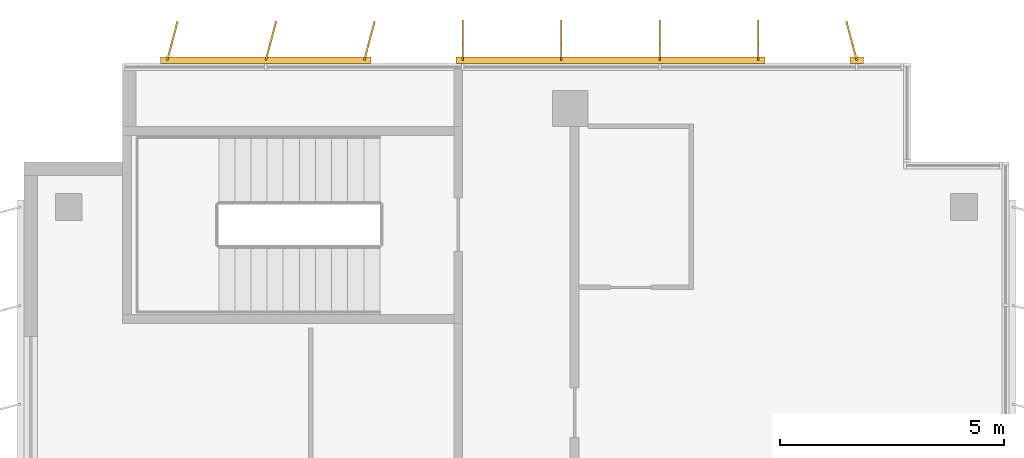
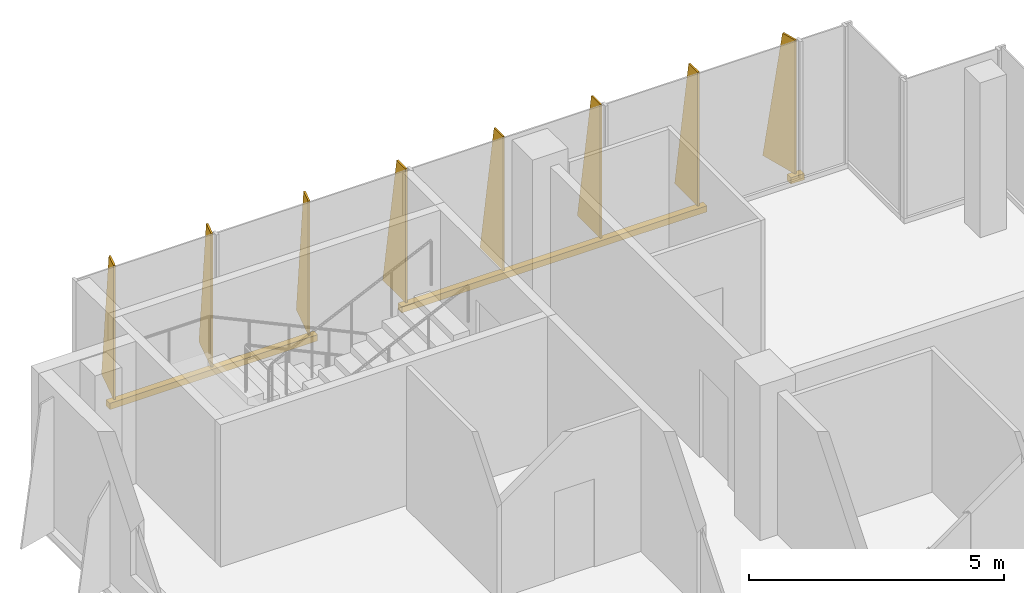
# One storey, part 15 of 15: 3 shading devices.
"""IFC4 building model written with IfcOpenShell, lengths in metres."""

from ifc_helpers import new_model, si_unit, direction, frame, origin, origin_2d, place, context, subcontext, project, spatial, polyline, rectangle, outline, extrude, source, transform, mapped, material, layer, layer_set, type_object, element, save


model = new_model("IFC4")

# Units and contexts
model_context = context("Model", 3, precision=1e-05, world=origin(), true_north=direction((0.0, 1.0)))
body_context = subcontext(model_context, "Body", "Model", "MODEL_VIEW")
ifc_project = project(units=[si_unit("LENGTHUNIT", "METRE"), si_unit("AREAUNIT", "SQUARE_METRE"), si_unit("VOLUMEUNIT", "CUBIC_METRE"), si_unit("PLANEANGLEUNIT", "RADIAN"), si_unit("MASSUNIT", "GRAM", prefix="KILO")], contexts=[model_context])

# Site, building, storey
site_placement = place(None, origin())
site = spatial("IfcSite", under=ifc_project, at=site_placement, CompositionType="ELEMENT")
building_placement = place(site_placement, origin())
building = spatial("IfcBuilding", under=site, at=building_placement, Name="Kemantara Hotel Tower", CompositionType="ELEMENT")
storey_placement = place(building_placement, frame((0.0, 0.0, 301.800048828125)))
storey = spatial("IfcBuildingStorey", under=building, at=storey_placement, Name="L76", CompositionType="ELEMENT", Elevation=301.800048828125)

# Shading devices
ifc_material = material(Name="Perforated aluminium plate 4 mm bronze anodised", Category="aluminium")
ifc_layer_1 = layer(ifc_material, 0.0400390625)
ifc_layer_set_1 = layer_set([ifc_layer_1], Name="Perforated aluminium plate 4 mm bronze anodised")
shading_device_type_1 = type_object("IfcShadingDeviceType", Name="SCREEN FIN CASSETTE, 3 BLADES AT -15.0 DEG, 3200 HIGH", PredefinedType="USERDEFINED", material=ifc_layer_set_1)
shared_shape_1 = source(origin(), body_context, "Body", "SweptSolid", [
    extrude(rectangle(XDim=4.699951171875, YDim=0.14990234375, at=origin_2d()), frame((2.199951171875, -0.074951171875, -0.14990234375), z_axis=(0.0, 0.0, 1.0), x_axis=(1.0, 0.0, 0.0)), (0.0, 0.0, 1.0), 0.14990234375),
    extrude(outline(polyline([(0.0, 0.0), (0.89990234375, 0.0), (0.35009765625, 3.199951171875), (0.0, 3.199951171875), (0.0, 0.0)])), frame((0.019287109375, -0.080078125, 0.0), z_axis=(-0.966437683387, 0.256901156343, 0.0), x_axis=(-0.256901156343, -0.966437683387, 0.0)), (0.0, 0.0, 1.0), 0.039794921875),
    extrude(outline(polyline([(0.0, 0.0), (0.89990234375, 0.0), (0.35009765625, 3.199951171875), (0.0, 3.199951171875), (0.0, 0.0)])), frame((2.21923828125, -0.080078125, 0.0), z_axis=(-0.966437683387, 0.256901156343, 0.0), x_axis=(-0.256901156343, -0.966437683387, 0.0)), (0.0, 0.0, 1.0), 0.039794921875),
    extrude(outline(polyline([(0.0, 0.0), (0.89990234375, 0.0), (0.35009765625, 3.199951171875), (0.0, 3.199951171875), (0.0, 0.0)])), frame((4.41943359375, -0.080078125, 0.0), z_axis=(-0.966837822169, 0.255391122837, 0.0), x_axis=(-0.255391122837, -0.966837822169, 0.0)), (0.0, 0.0, 1.0), 0.0400390625),
])
shading_device_1_placement = place(storey_placement, frame((7.60009765625, 63.60009765625, 0.099853515625), z_axis=(0.0, 0.0, 1.0), x_axis=(-1.0, 0.0, 0.0)))
element("IfcShadingDevice", 1, at=shading_device_1_placement, inside=storey, type_object=shading_device_type_1, Name="SCREEN FIN CASSETTE L76 T4-R02-3", ObjectType="SCREEN FIN", PredefinedType="USERDEFINED", context=body_context, shape_type="MappedRepresentation", body=[
    mapped(shared_shape_1, transform((0.0, 0.0, 0.0))),
])
ifc_layer_2 = layer(ifc_material, 0.0400390625)
ifc_layer_set_2 = layer_set([ifc_layer_2], Name="Perforated aluminium plate 4 mm bronze anodised")
shading_device_type_2 = type_object("IfcShadingDeviceType", Name="SCREEN FIN CASSETTE, 4 BLADES AT +0.0 DEG, 3200 HIGH", PredefinedType="USERDEFINED", material=ifc_layer_set_2)
shared_shape_2 = source(origin(), body_context, "Body", "SweptSolid", [
    extrude(rectangle(XDim=6.89990234375, YDim=0.14990234375, at=origin_2d()), frame((3.300048828125, -0.074951171875, -0.14990234375), z_axis=(0.0, 0.0, 1.0), x_axis=(1.0, 0.0, 0.0)), (0.0, 0.0, 1.0), 0.14990234375),
    extrude(outline(polyline([(0.0, 0.0), (0.89990234375, 0.0), (0.35009765625, 3.199951171875), (0.0, 3.199951171875), (0.0, 0.0)])), frame((0.02001953125, -0.074951171875, 0.0), z_axis=(-1.0, 0.0, 0.0), x_axis=(0.0, -1.0, 0.0)), (0.0, 0.0, 1.0), 0.0400390625),
    extrude(outline(polyline([(0.0, 0.0), (0.89990234375, 0.0), (0.35009765625, 3.199951171875), (0.0, 3.199951171875), (0.0, 0.0)])), frame((2.219970703125, -0.074951171875, 0.0), z_axis=(-1.0, 0.0, 0.0), x_axis=(0.0, -1.0, 0.0)), (0.0, 0.0, 1.0), 0.0400390625),
    extrude(outline(polyline([(0.0, 0.0), (0.89990234375, 0.0), (0.35009765625, 3.199951171875), (0.0, 3.199951171875), (0.0, 0.0)])), frame((4.419921875, -0.074951171875, 0.0), z_axis=(-1.0, 0.0, 0.0), x_axis=(0.0, -1.0, 0.0)), (0.0, 0.0, 1.0), 0.0400390625),
    extrude(outline(polyline([(0.0, 0.0), (0.89990234375, 0.0), (0.35009765625, 3.199951171875), (0.0, 3.199951171875), (0.0, 0.0)])), frame((6.6201171875, -0.074951171875, 0.0), z_axis=(-1.0, 0.0, 0.0), x_axis=(0.0, -1.0, 0.0)), (0.0, 0.0, 1.0), 0.0400390625),
])
shading_device_2_placement = place(storey_placement, frame((16.39990234375, 63.60009765625, 0.099853515625), z_axis=(0.0, 0.0, 1.0), x_axis=(-1.0, 0.0, 0.0)))
element("IfcShadingDevice", 2, at=shading_device_2_placement, inside=storey, type_object=shading_device_type_2, Name="SCREEN FIN CASSETTE L76 T4-R02-2", ObjectType="SCREEN FIN", PredefinedType="USERDEFINED", context=body_context, shape_type="MappedRepresentation", body=[
    mapped(shared_shape_2, transform((0.0, 0.0, 0.0))),
])
ifc_layer_3 = layer(ifc_material, 0.0400390625)
ifc_layer_set_3 = layer_set([ifc_layer_3], Name="Perforated aluminium plate 4 mm bronze anodised")
shading_device_type_3 = type_object("IfcShadingDeviceType", Name="SCREEN FIN CASSETTE, 1 BLADE AT +15.0 DEG, 3200 HIGH", PredefinedType="USERDEFINED", material=ifc_layer_set_3)
shared_shape_3 = source(origin(), body_context, "Body", "SweptSolid", [
    extrude(rectangle(XDim=0.300048828125, YDim=0.14990234375, at=origin_2d()), frame((0.0, -0.074951171875, -0.14990234375), z_axis=(0.0, 0.0, 1.0), x_axis=(1.0, 0.0, 0.0)), (0.0, 0.0, 1.0), 0.14990234375),
    extrude(outline(polyline([(0.0, 0.0), (0.89990234375, 0.0), (0.35009765625, 3.199951171875), (0.0, 3.199951171875), (0.0, 0.0)])), frame((0.019287109375, -0.06982421875, 0.0), z_axis=(-0.966437683387, -0.256901156343, 0.0), x_axis=(0.256901156343, -0.966437683387, 0.0)), (0.0, 0.0, 1.0), 0.039794921875),
])
shading_device_3_placement = place(storey_placement, frame((18.60009765625, 63.60009765625, 0.099853515625), z_axis=(0.0, 0.0, 1.0), x_axis=(-1.0, 0.0, 0.0)))
element("IfcShadingDevice", 3, at=shading_device_3_placement, inside=storey, type_object=shading_device_type_3, Name="SCREEN FIN CASSETTE L76 T4-R02-1", ObjectType="SCREEN FIN", PredefinedType="USERDEFINED", context=body_context, shape_type="MappedRepresentation", body=[
    mapped(shared_shape_3, transform((0.0, 0.0, 0.0))),
])

save(model, "model.ifc")
